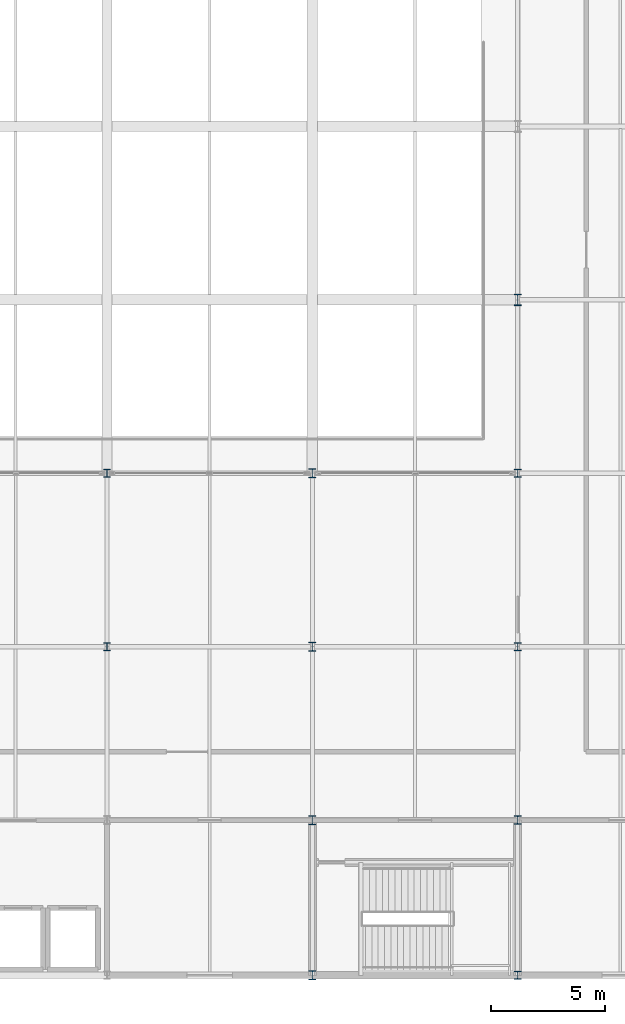
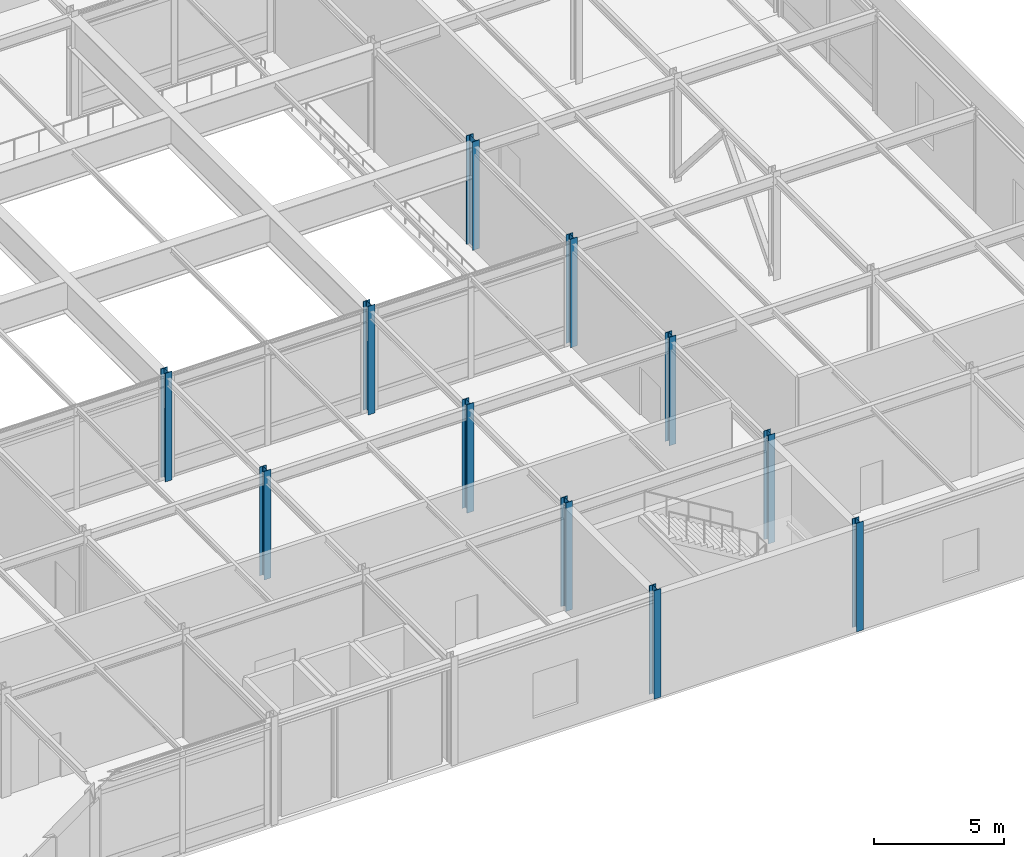
# One storey, part 6 of 79: 11 columns.
"""IFC4 building model written with IfcOpenShell, lengths in metres."""

from ifc_helpers import new_model, si_unit, direction, frame, origin, origin_2d, place, context, subcontext, project, spatial, i_section, extrude, material, material_profile, profile_set, type_object, element, save


model = new_model("IFC4")

# Units and contexts
model_context = context("Model", 3, precision=1e-05, world=origin(), true_north=direction((0.0, 1.0)))
body_context = subcontext(model_context, "Body", "Model", "MODEL_VIEW")
ifc_project = project(units=[si_unit("LENGTHUNIT", "METRE"), si_unit("AREAUNIT", "SQUARE_METRE"), si_unit("VOLUMEUNIT", "CUBIC_METRE"), si_unit("PLANEANGLEUNIT", "RADIAN"), si_unit("MASSUNIT", "GRAM", prefix="KILO")], contexts=[model_context])

# Site, building, storey
site_placement = place(None, origin())
site = spatial("IfcSite", under=ifc_project, at=site_placement, CompositionType="ELEMENT")
building_placement = place(site_placement, origin())
building = spatial("IfcBuilding", under=site, at=building_placement, Name="Shalkamar Park Central Library", CompositionType="ELEMENT")
storey_placement = place(building_placement, frame((0.0, 0.0, 10.5)))
storey = spatial("IfcBuildingStorey", under=building, at=storey_placement, Name="L03", CompositionType="ELEMENT", Elevation=10.5)

# Columns
ifc_material = material(Name="Steel S355", Category="steel")
ifc_material_profile_1 = material_profile(ifc_material, i_section(OverallWidth=0.300048828125, OverallDepth=0.360107421875, WebThickness=0.012451171875, FlangeThickness=0.0224609375, FilletRadius=0.027099609375, at=origin_2d()), Name="HEB 360")
ifc_profile_set_1 = profile_set([ifc_material_profile_1], Name="Steel S355")
column_type_1 = type_object("IfcColumnType", Name="Column Steel HEB360", PredefinedType="COLUMN", material=ifc_profile_set_1)
for number, where, z_axis, x_axis, name in (
    (1, (237.0, 262.800048828125, 0.0), (0.0, 0.0, 1.0), (1.0, 0.0, 0.0), "Column 16/D (L03)"),
    (2, (237.0, 270.39990234375, 0.0), (0.0, 0.0, 1.0), (1.0, 0.0, 0.0), "Column 16/E (L03)"),
    (3, (255.0, 248.39990234375, 0.0), (0.0, 0.0, 1.0), (1.0, 0.0, 0.0), "Column 18/B (L03)"),
    (4, (255.0, 255.199951171875, 0.0), (0.0, 0.0, 1.0), (1.0, 0.0, 0.0), "Column 18/C (L03)"),
    (5, (255.0, 262.800048828125, 0.0), (0.0, 0.0, 1.0), (1.0, 0.0, 0.0), "Column 18/D (L03)"),
    (6, (255.0, 270.39990234375, 0.0), (0.0, 0.0, 1.0), (1.0, 0.0, 0.0), "Column 18/E (L03)"),
):
    element("IfcColumn", number, at=place(storey_placement, frame(where, z_axis=z_axis, x_axis=x_axis)), inside=storey, type_object=column_type_1, Name=name, PredefinedType="COLUMN", context=body_context, shape_type="SweptSolid", body=[
        extrude(i_section(OverallWidth=0.300048828125, OverallDepth=0.360107421875, WebThickness=0.012451171875, FlangeThickness=0.0224609375, FilletRadius=0.027099609375, at=origin_2d()), origin(), (0.0, 0.0, 1.0), 5.10009765625),
    ])
ifc_material_profile_2 = material_profile(ifc_material, i_section(OverallWidth=0.300048828125, OverallDepth=0.39990234375, WebThickness=0.013427734375, FlangeThickness=0.02392578125, FilletRadius=0.027099609375, at=origin_2d()), Name="HEB 400")
ifc_profile_set_2 = profile_set([ifc_material_profile_2], Name="Steel S355")
column_type_2 = type_object("IfcColumnType", Name="Column Steel HEB400", PredefinedType="COLUMN", material=ifc_profile_set_2)
for number, where, z_axis, x_axis, name in (
    (7, (246.0, 248.39990234375, 0.0), (0.0, 0.0, 1.0), (1.0, 0.0, 0.0), "Column 17/B (L03)"),
    (8, (246.0, 255.199951171875, 0.0), (0.0, 0.0, 1.0), (1.0, 0.0, 0.0), "Column 17/C (L03)"),
    (9, (246.0, 262.800048828125, 0.0), (0.0, 0.0, 1.0), (1.0, 0.0, 0.0), "Column 17/D (L03)"),
    (10, (246.0, 270.39990234375, 0.0), (0.0, 0.0, 1.0), (1.0, 0.0, 0.0), "Column 17/E (L03)"),
):
    element("IfcColumn", number, at=place(storey_placement, frame(where, z_axis=z_axis, x_axis=x_axis)), inside=storey, type_object=column_type_2, Name=name, PredefinedType="COLUMN", context=body_context, shape_type="SweptSolid", body=[
        extrude(i_section(OverallWidth=0.300048828125, OverallDepth=0.39990234375, WebThickness=0.013427734375, FlangeThickness=0.02392578125, FilletRadius=0.027099609375, at=origin_2d()), origin(), (0.0, 0.0, 1.0), 5.10009765625),
    ])
ifc_material_profile_3 = material_profile(ifc_material, i_section(OverallWidth=0.300048828125, OverallDepth=0.5, WebThickness=0.014404296875, FlangeThickness=0.028076171875, FilletRadius=0.027099609375, at=origin_2d()), Name="HEB 500")
ifc_profile_set_3 = profile_set([ifc_material_profile_3], Name="Steel S355")
column_type_3 = type_object("IfcColumnType", Name="Column Steel HEB500", PredefinedType="COLUMN", material=ifc_profile_set_3)
column_placement = place(storey_placement, frame((255.0, 278.0, 0.0), z_axis=(0.0, 0.0, 1.0), x_axis=(1.0, 0.0, 0.0)))
element("IfcColumn", 11, at=column_placement, inside=storey, type_object=column_type_3, Name="Column 18/F (L03)", PredefinedType="COLUMN", context=body_context, shape_type="SweptSolid", body=[
    extrude(i_section(OverallWidth=0.300048828125, OverallDepth=0.5, WebThickness=0.014404296875, FlangeThickness=0.028076171875, FilletRadius=0.027099609375, at=origin_2d()), origin(), (0.0, 0.0, 1.0), 5.10009765625),
])

save(model, "model.ifc")
